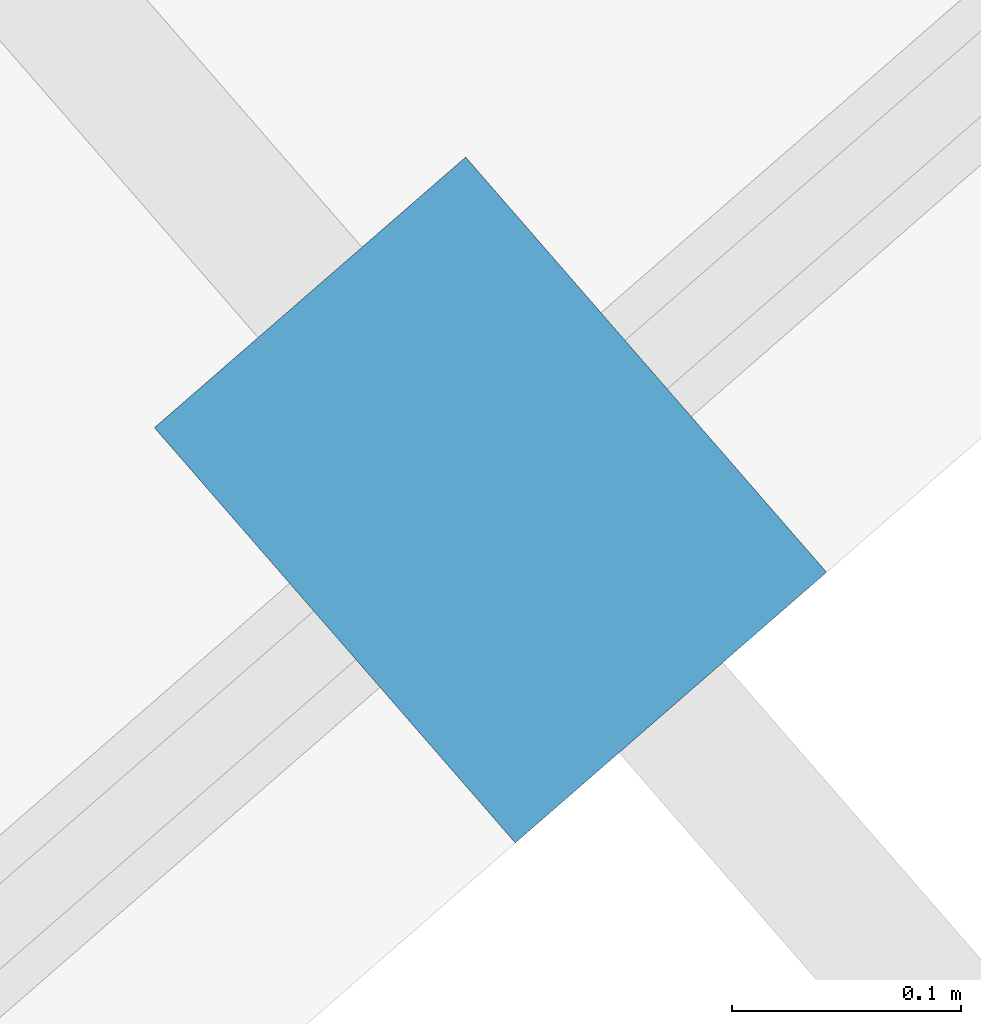
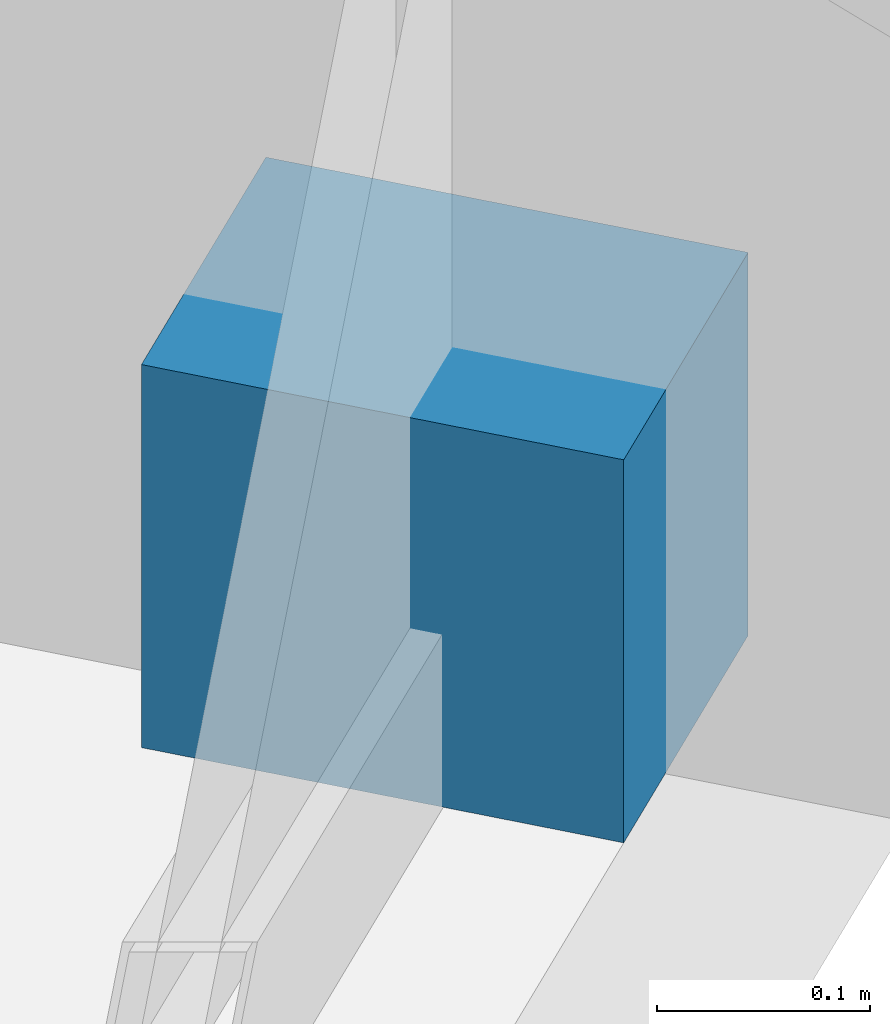
# One storey, part 22 of 25: 1 discrete accessory.
"""IFC4 building model written with IfcOpenShell, lengths in metres."""

from ifc_helpers import new_model, si_unit, direction, frame, origin, origin_2d, place, context, subcontext, project, spatial, rectangle, extrude, material, type_object, element, save


model = new_model("IFC4")

# Units and contexts
model_context = context("Model", 3, precision=1e-05, world=origin(), true_north=direction((0.0, 1.0)))
body_context = subcontext(model_context, "Body", "Model", "MODEL_VIEW")
ifc_project = project(units=[si_unit("LENGTHUNIT", "METRE"), si_unit("AREAUNIT", "SQUARE_METRE"), si_unit("VOLUMEUNIT", "CUBIC_METRE"), si_unit("PLANEANGLEUNIT", "RADIAN"), si_unit("MASSUNIT", "GRAM", prefix="KILO")], contexts=[model_context])

# Site, building, storey
site_placement = place(None, origin())
site = spatial("IfcSite", under=ifc_project, at=site_placement, CompositionType="ELEMENT")
building_placement = place(site_placement, origin())
building = spatial("IfcBuilding", under=site, at=building_placement, Name="Kravanh Interchange Tower", CompositionType="ELEMENT")
storey_placement = place(building_placement, frame((0.0, 0.0, 41.5)))
storey = spatial("IfcBuildingStorey", under=building, at=storey_placement, Name="L09", CompositionType="ELEMENT", Elevation=41.5)

# Discrete accessory
ifc_material = material(Name="Stainless Steel 316", Category="steel")
discrete_accessory_type = type_object("IfcDiscreteAccessoryType", Name="Solar Fin Curtain-Wall Mounting Bracket Stainless 316", PredefinedType="BRACKET", material=ifc_material)
discrete_accessory_placement = place(storey_placement, frame((62.16943359375, 2.328369140625, 0.0), z_axis=(0.0, 0.0, 1.0), x_axis=(0.656067828783, -0.754701930589, 0.0)))
element("IfcDiscreteAccessory", 1, at=discrete_accessory_placement, inside=storey, type_object=discrete_accessory_type, Name="L09 Solar Fin Mounting Bracket 2", PredefinedType="BRACKET", context=body_context, shape_type="SweptSolid", body=[
    extrude(rectangle(XDim=0.239990234375, YDim=0.179931640625, at=origin_2d()), origin(), (0.0, 0.0, 1.0), 0.219970703125),
])

save(model, "model.ifc")
